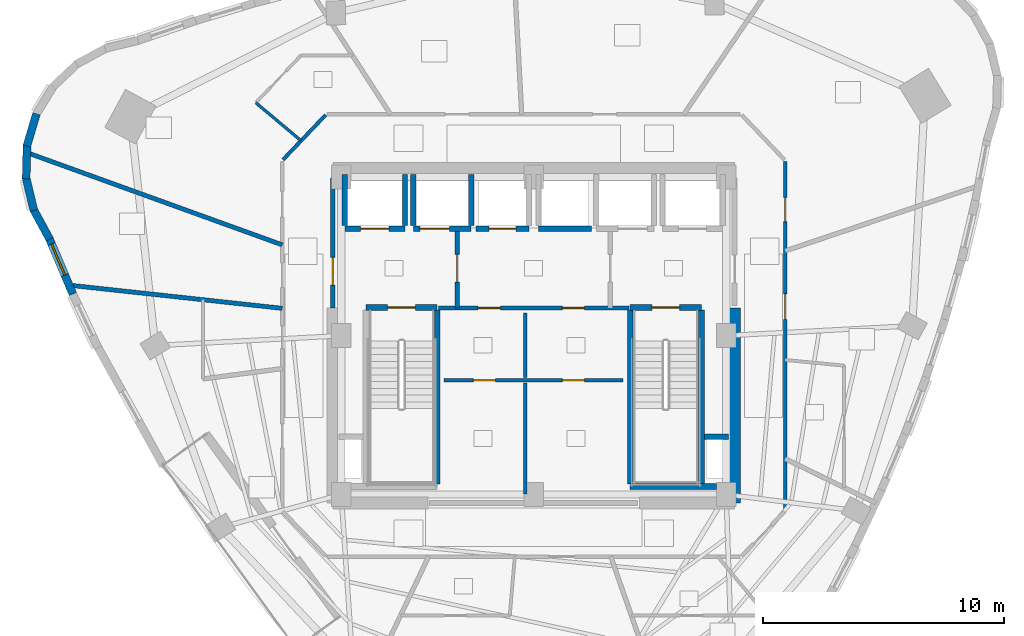
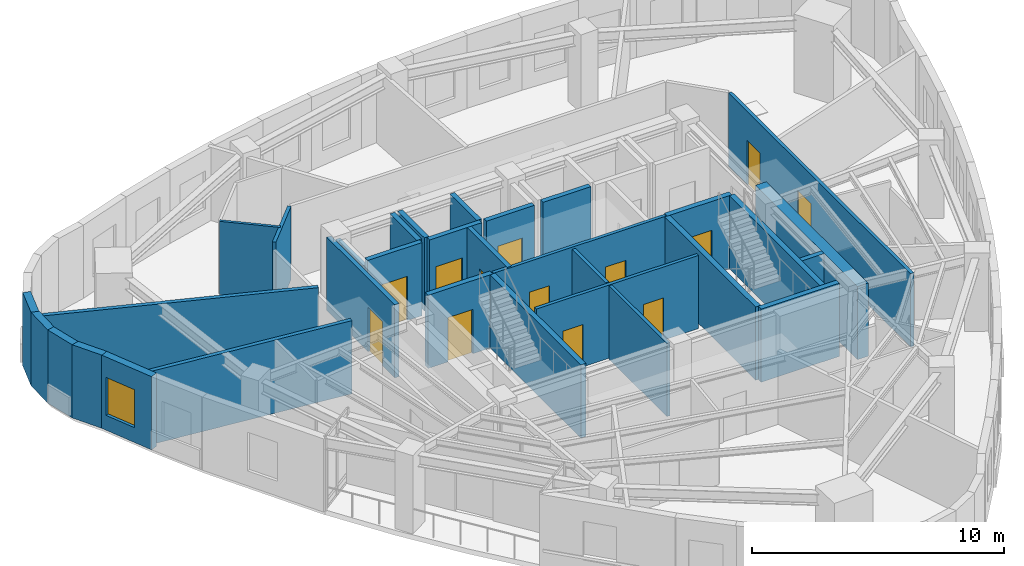
# One storey, part 7 of 12: 32 walls, 13 doors, 1 window, 14 openings.
"""IFC4 building model written with IfcOpenShell, lengths in metres."""

import ifcopenshell
import ifcopenshell.guid

model = None  # the IFC model being written
_history = None  # IfcOwnerHistory: only IFC2X3 demands one
_inside = {}  # id of a spatial element -> (the spatial element, [elements in it])
_under = {}  # id of a project, library or spatial element -> (it, [spatial elements below it])
_declared = {}  # id of a project -> (the project, [libraries it declares])
_typed = {}  # id of a type object -> (the type object, [elements of that type])
_made_of = {}  # id of a material, layer set ... -> (it, [elements and type objects made of it])


def new_model(schema):
    """Start an empty IFC model of exactly this schema.

    Asked for "IFC4X3", IfcOpenShell would pick the latest addendum, in which some entities
    have other attributes; the version numbers below select the first issue.
    IFC2X3 requires an IfcOwnerHistory on every rooted entity: one is made here for all.
    """
    global model, _history
    if schema == "IFC4X3":
        model = ifcopenshell.file(schema_version=(4, 3, 0, 0))
    else:
        model = ifcopenshell.file(schema=schema)
    _inside.clear()
    _under.clear()
    _declared.clear()
    _typed.clear()
    _made_of.clear()
    _history = None
    if model.schema == "IFC2X3":
        org = make("IfcOrganization", Name="unknown")
        user = make(
            "IfcPersonAndOrganization",
            ThePerson=make("IfcPerson", FamilyName="unknown"),
            TheOrganization=org,
        )
        app = make(
            "IfcApplication",
            ApplicationDeveloper=org,
            Version="unknown",
            ApplicationFullName="unknown",
            ApplicationIdentifier="unknown",
        )
        _history = make(
            "IfcOwnerHistory",
            OwningUser=user,
            OwningApplication=app,
            ChangeAction="ADDED",
            CreationDate=0,
        )
    return model


def make(cls, **values):
    """One entity of the class cls with the attributes given. An attribute that is None is left unset."""
    return model.create_entity(
        cls, **{name: value for name, value in values.items() if value is not None}
    )


def rooted(cls, **values):
    """An entity with a GlobalId (a new one), such as an element, a storey or a relation."""
    return make(cls, GlobalId=ifcopenshell.guid.new(), OwnerHistory=_history, **values)


def si_unit(unit_type, name, prefix=None):
    """IfcSIUnit, for example si_unit("LENGTHUNIT", "METRE", prefix="MILLI")."""
    return make("IfcSIUnit", UnitType=unit_type, Prefix=prefix, Name=name)


def assignment(units):
    """IfcUnitAssignment: the units of a project."""
    return None if units is None else make("IfcUnitAssignment", Units=units)


def point(xyz):
    """IfcCartesianPoint."""
    return None if xyz is None else make("IfcCartesianPoint", Coordinates=xyz)


def direction(xyz):
    """IfcDirection."""
    return None if xyz is None else make("IfcDirection", DirectionRatios=xyz)


def frame(location, z_axis=None, x_axis=None):
    """IfcAxis2Placement3D, a coordinate frame: its origin and axes. An axis left out is left unset."""
    return make(
        "IfcAxis2Placement3D",
        Location=point(location),
        Axis=direction(z_axis),
        RefDirection=direction(x_axis),
    )


def frame_2d(location, x_axis=None):
    """IfcAxis2Placement2D, a coordinate frame in the plane: its origin and x axis."""
    return make(
        "IfcAxis2Placement2D", Location=point(location), RefDirection=direction(x_axis)
    )


def origin():
    """The frame at (0, 0, 0) with its axes left unset."""
    return frame((0.0, 0.0, 0.0))


def place(relative_to, where):
    """IfcLocalPlacement: puts the frame where relative to a parent placement (None: the world)."""
    return make(
        "IfcLocalPlacement", PlacementRelTo=relative_to, RelativePlacement=where
    )


def context(
    kind, dimensions, precision=None, world=None, true_north=None, identifier=None
):
    """IfcGeometricRepresentationContext, for example the 3D "Model" context."""
    return make(
        "IfcGeometricRepresentationContext",
        ContextIdentifier=identifier,
        ContextType=kind,
        CoordinateSpaceDimension=dimensions,
        Precision=precision,
        WorldCoordinateSystem=world,
        TrueNorth=true_north,
    )


def subcontext(parent, identifier, kind, view, scale=None):
    """IfcGeometricRepresentationSubContext, for example "Body" below "Model"."""
    return make(
        "IfcGeometricRepresentationSubContext",
        ContextIdentifier=identifier,
        ContextType=kind,
        ParentContext=parent,
        TargetScale=scale,
        TargetView=view,
    )


def project(units=None, contexts=None):
    """IfcProject with its units and contexts."""
    return rooted(
        "IfcProject",
        Name="project",
        RepresentationContexts=contexts,
        UnitsInContext=assignment(units),
    )


def spatial(cls, under=None, at=None, **own):
    """A site, building, storey or space (cls), placed at a placement, below another one or the project."""
    s = rooted(cls, ObjectPlacement=at, **own)
    if under is not None:
        _under.setdefault(under.id(), (under, []))[1].append(s)
    return s


def profile(cls, at=None, kind="AREA", **sizes):
    """A parametric profile (cls). Its sizes go by their IFC names, for example OverallWidth=200.0."""
    return make(cls, ProfileType=kind, Position=at, **sizes)


def rectangle(**sizes):
    """IfcRectangleProfileDef."""
    return profile("IfcRectangleProfileDef", **sizes)


def extrude(swept, where, along, depth):
    """IfcExtrudedAreaSolid: the profile swept, set in the frame where, extruded along a direction by depth."""
    return make(
        "IfcExtrudedAreaSolid",
        SweptArea=swept,
        Position=where,
        ExtrudedDirection=direction(along),
        Depth=depth,
    )


def shape(context_of_items, identifier, shape_type, items):
    """IfcShapeRepresentation: the items that make up one representation, for example the "Body"."""
    return make(
        "IfcShapeRepresentation",
        ContextOfItems=context_of_items,
        RepresentationIdentifier=identifier,
        RepresentationType=shape_type,
        Items=items,
    )


def material(Name=None, Category=None):
    """IfcMaterial."""
    return make("IfcMaterial", Name=Name, Category=Category)


def layer(
    of_material, thickness, ventilated=None, Name=None, Category=None, Priority=None
):
    """IfcMaterialLayer: one layer of a wall or slab, of a material (None: an air gap)."""
    return make(
        "IfcMaterialLayer",
        Material=of_material,
        LayerThickness=thickness,
        IsVentilated=ventilated,
        Name=Name,
        Category=Category,
        Priority=Priority,
    )


def layer_set(layers, Name=None):
    """IfcMaterialLayerSet."""
    return make("IfcMaterialLayerSet", MaterialLayers=layers, LayerSetName=Name)


def made_of(thing, what):
    """Note that an element or type object is made of a material, layer set ...; save() writes the relation."""
    if what is not None:
        _made_of.setdefault(what.id(), (what, []))[1].append(thing)
    return thing


def type_object(cls, material=None, **own):
    """A type object (cls), such as IfcWallType, which elements share."""
    return made_of(rooted(cls, **own), material)


def element(
    cls,
    number,
    at=None,
    inside=None,
    cuts=None,
    type_object=None,
    material=None,
    context=None,
    identifier="Body",
    shape_type=None,
    held_by="IfcProductDefinitionShape",
    body=None,
    shapes=None,
    **own,
):
    """One element of the class cls, such as IfcWall. Its Tag is "e" and its number.

    at: its placement. inside: the storey or other place that contains it. cuts: it is an
    opening in that element (IfcRelVoidsElement). A single representation is given by context,
    identifier, shape_type and body (its items); several are given by shapes. held_by: the class
    of the entity that holds the representations. save() writes the other relations.
    """
    e = rooted(cls, Tag="e%d" % number, ObjectPlacement=at, **own)
    if body is not None:
        shapes = [shape(context, identifier, shape_type, body)]
    if shapes is not None:
        e.Representation = make(held_by, Representations=shapes)
    if inside is not None:
        _inside.setdefault(inside.id(), (inside, []))[1].append(e)
    if cuts is not None:
        rooted(
            "IfcRelVoidsElement", RelatingBuildingElement=cuts, RelatedOpeningElement=e
        )
    if type_object is not None:
        _typed.setdefault(type_object.id(), (type_object, []))[1].append(e)
    return made_of(e, material)


def fill(opening, filler):
    """IfcRelFillsElement: the door or window that sits in an opening."""
    return rooted(
        "IfcRelFillsElement",
        RelatingOpeningElement=opening,
        RelatedBuildingElement=filler,
    )


def aggregate(whole, parts):
    """IfcRelAggregates: a whole, such as a stair, and the parts it consists of."""
    return rooted("IfcRelAggregates", RelatingObject=whole, RelatedObjects=parts)


def save(model, path):
    """Write the relations noted so far, then the file.

    IfcRelAggregates (storeys below a building ...), IfcRelContainedInSpatialStructure (elements
    in a storey), IfcRelDefinesByType, IfcRelAssociatesMaterial and IfcRelDeclares: one each for
    every whole, place, type object, material and project.
    """
    for whole, parts in _under.values():
        aggregate(whole, parts)
    for where, things in _inside.values():
        rooted(
            "IfcRelContainedInSpatialStructure",
            RelatedElements=things,
            RelatingStructure=where,
        )
    for kind, things in _typed.values():
        rooted("IfcRelDefinesByType", RelatedObjects=things, RelatingType=kind)
    for what, things in _made_of.values():
        rooted("IfcRelAssociatesMaterial", RelatedObjects=things, RelatingMaterial=what)
    for by, libraries in _declared.values():
        rooted("IfcRelDeclares", RelatingContext=by, RelatedDefinitions=libraries)
    model.write(path)


model = new_model("IFC4")

# Units and contexts
model_context = context("Model", 3, precision=1e-05, world=origin(), true_north=direction((0.0, 1.0)))
body_context = subcontext(model_context, "Body", "Model", "MODEL_VIEW")
ifc_project = project(units=[si_unit("LENGTHUNIT", "METRE"), si_unit("AREAUNIT", "SQUARE_METRE"), si_unit("VOLUMEUNIT", "CUBIC_METRE"), si_unit("PLANEANGLEUNIT", "RADIAN"), si_unit("MASSUNIT", "GRAM", prefix="KILO")], contexts=[model_context])

# Site, building, storey
site_placement = place(None, origin())
site = spatial("IfcSite", under=ifc_project, at=site_placement, CompositionType="ELEMENT")
building_placement = place(site_placement, origin())
building = spatial("IfcBuilding", under=site, at=building_placement, Name="Ndelora Gate Hotel", CompositionType="ELEMENT")
storey_placement = place(building_placement, frame((0.0, 0.0, 232.14990234375)))
storey = spatial("IfcBuildingStorey", under=building, at=storey_placement, Name="L58", CompositionType="ELEMENT", Elevation=232.14990234375)

# Walls
ifc_material_1 = material(Name="Acoustic Double-Stud Gypsum Assembly", Category="gypsum")
ifc_layer_1 = layer(ifc_material_1, 0.179931640625)
ifc_layer_set_1 = layer_set([ifc_layer_1], Name="Acoustic Double-Stud Gypsum Assembly")
wall_type_1 = type_object("IfcWallType", Name="WL-ACOUST-180", PredefinedType="PARTITIONING", material=ifc_layer_set_1)
wall_1_placement = place(storey_placement, frame((-10.449951171875, 3.77490234375, 0.0), z_axis=(0.0, 0.0, 1.0), x_axis=(-0.9405132002, 0.339757148931, 0.0)))
element("IfcWall", 1, at=wall_1_placement, inside=storey, type_object=wall_type_1, Name="L58 Interior Wall IW-3", PredefinedType="PARTITIONING", context=body_context, shape_type="SweptSolid", body=[
    extrude(rectangle(XDim=11.28662109375, YDim=0.179931640625, at=frame_2d((5.643310546875, 0.0))), origin(), (0.0, 0.0, 1.0), 3.550048828125),
])
wall_2_placement = place(storey_placement, frame((-10.449951171875, 1.136474609375, 0.0), z_axis=(0.0, 0.0, 1.0), x_axis=(-0.994137295644, 0.108125100741, 0.0)))
element("IfcWall", 2, at=wall_2_placement, inside=storey, type_object=wall_type_1, Name="L58 Interior Wall IW-3", PredefinedType="PARTITIONING", context=body_context, shape_type="SweptSolid", body=[
    extrude(rectangle(XDim=8.912109375, YDim=0.179931640625, at=frame_2d((4.4560546875, 0.0))), origin(), (0.0, 0.0, 1.0), 3.550048828125),
])
ifc_material_2 = material(Name="Clay Brick Masonry", Category="masonry")
ifc_layer_2 = layer(ifc_material_2, 0.330078125)
ifc_layer_set_2 = layer_set([ifc_layer_2], Name="Clay Brick Masonry")
wall_type_2 = type_object("IfcWallType", Name="WL-BRICK-330", PredefinedType="SOLIDWALL", material=ifc_layer_set_2)
wall_3_placement = place(storey_placement, frame((-21.064697265625, 7.878173828125, 0.0), z_axis=(0.0, 0.0, 1.0), x_axis=(0.284100140437, 0.958794613149, 0.0)))
element("IfcWall", 3, at=wall_3_placement, inside=storey, type_object=wall_type_2, Name="L58 Tower Brick Pier-and-Spandrel Wall TWR-5", PredefinedType="SOLIDWALL", context=body_context, shape_type="SweptSolid", body=[
    extrude(rectangle(XDim=1.40771484375, YDim=0.330078125, at=frame_2d((0.703857421875, 0.0))), origin(), (0.0, 0.0, 1.0), 3.550048828125),
])
for number, where, z_axis, x_axis, name in (
    (4, (-21.09375, 6.520263671875, 0.0), (0.0, 0.0, 1.0), (0.02619264168, 0.999656913907, 0.0), "L58 Tower Brick Pier-and-Spandrel Wall TWR-6"),
    (5, (-20.770263671875, 5.200927734375, 0.0), (0.0, 0.0, 1.0), (-0.233464793771, 0.972365255482, 0.0), "L58 Tower Brick Pier-and-Spandrel Wall TWR-7"),
):
    element("IfcWall", number, at=place(storey_placement, frame(where, z_axis=z_axis, x_axis=x_axis)), inside=storey, type_object=wall_type_2, Name=name, PredefinedType="SOLIDWALL", context=body_context, shape_type="SweptSolid", body=[
        extrude(rectangle(XDim=1.407470703125, YDim=0.330078125, at=frame_2d((0.70361328125, 0.0))), origin(), (0.0, 0.0, 1.0), 3.550048828125),
    ])
wall_4_placement = place(storey_placement, frame((-20.116455078125, 4.01025390625, 0.0), z_axis=(0.0, 0.0, 1.0), x_axis=(-0.477137792558, 0.878828496871, 0.0)))
element("IfcWall", 6, at=wall_4_placement, inside=storey, type_object=wall_type_2, Name="L58 Tower Brick Pier-and-Spandrel Wall TWR-8", PredefinedType="SOLIDWALL", context=body_context, shape_type="SweptSolid", body=[
    extrude(rectangle(XDim=1.40771484375, YDim=0.330078125, at=frame_2d((0.703857421875, 0.0))), origin(), (0.0, 0.0, 1.0), 3.550048828125),
])

# Wall, opening, window
wall_5_placement = place(storey_placement, frame((-19.151611328125, 1.726806640625, 0.0), z_axis=(0.0, 0.0, 1.0), x_axis=(-0.390140710462, 0.920755247631, 0.0)))
wall_5 = element("IfcWall", 7, at=wall_5_placement, inside=storey, type_object=wall_type_2, Name="L58 Tower Brick Pier-and-Spandrel Wall TWR-9", PredefinedType="SOLIDWALL", context=body_context, shape_type="SweptSolid", body=[
    extrude(rectangle(XDim=2.52880859375, YDim=0.330078125, at=frame_2d((1.264404296875, 0.0))), origin(), (0.0, 0.0, 1.0), 3.550048828125),
])
opening_1_placement = place(wall_5_placement, frame((0.860107421875, 0.0, 0.719970703125)))
opening_1 = element("IfcOpeningElement", 8, at=opening_1_placement, cuts=wall_5, Name="Opening W02", PredefinedType="OPENING", context=body_context, shape_type="SweptSolid", body=[
    extrude(rectangle(XDim=1.39990234375, YDim=1.840087890625, at=frame_2d((0.699951171875, 0.919921875))), frame((0.0, 0.175048828125, 0.0), z_axis=(0.0, -1.0, 0.0), x_axis=(1.0, 0.0, 0.0)), (0.0, 0.0, 1.0), 0.35009765625),
])
ifc_material_3 = material(Name="Insulated Low-E Double Glazing in Bronze Aluminium Frame", Category="aluminium")
window_type = type_object("IfcWindowType", Name="WN-DEEP-1400", PartitioningType="SINGLE_PANEL", PredefinedType="WINDOW", material=ifc_material_3)
window_placement = place(opening_1_placement, origin())
window = element("IfcWindow", 9, at=window_placement, inside=storey, type_object=window_type, Name="L58 Deep-Set Brick-Pier Window W02", OverallHeight=1.840087890625, OverallWidth=1.39990234375, PartitioningType="SINGLE_PANEL", PredefinedType="WINDOW", context=body_context, shape_type="SweptSolid", body=[
    extrude(rectangle(XDim=1.39990234375, YDim=1.840087890625, at=frame_2d((0.699951171875, 0.919921875))), frame((0.0, 0.030029296875, 0.0), z_axis=(0.0, -1.0, 0.0), x_axis=(1.0, 0.0, 0.0)), (0.0, 0.0, 1.0), 0.06005859375),
])
fill(opening_1, window)

# Wall
ifc_material_4 = material(Name="Concrete C50/60", Category="concrete")
ifc_layer_3 = layer(ifc_material_4, 0.5)
ifc_layer_set_3 = layer_set([ifc_layer_3], Name="Concrete C50/60")
wall_type_3 = type_object("IfcWallType", Name="WL-CORE-500", PredefinedType="SHEAR", material=ifc_layer_set_3)
wall_6_placement = place(storey_placement, frame((8.35009765625, -6.949951171875, 0.0), z_axis=(0.0, 0.0, 1.0), x_axis=(0.0, 1.0, 0.0)))
element("IfcWall", 10, at=wall_6_placement, inside=storey, type_object=wall_type_3, Name="L58 Core Shear Wall E", PredefinedType="SHEAR", context=body_context, shape_type="SweptSolid", body=[
    extrude(rectangle(XDim=8.099853515625, YDim=0.5, at=frame_2d((4.0498046875, 0.0))), origin(), (0.0, 0.0, 1.0), 3.550048828125),
])

# Wall, opening, door
ifc_material_5 = material(Name="Concrete C40/50", Category="concrete")
ifc_layer_4 = layer(ifc_material_5, 0.199951171875)
ifc_layer_set_4 = layer_set([ifc_layer_4], Name="Concrete C40/50")
wall_type_4 = type_object("IfcWallType", Name="WL-FIRE-200", PredefinedType="PARTITIONING", material=ifc_layer_set_4)
wall_7_placement = place(storey_placement, frame((-3.179931640625, 1.14990234375, 0.0), z_axis=(0.0, 0.0, 1.0), x_axis=(0.0, 1.0, 0.0)))
wall_7 = element("IfcWall", 11, at=wall_7_placement, inside=storey, type_object=wall_type_4, Name="L58 Interior Wall IW-2", PredefinedType="PARTITIONING", context=body_context, shape_type="SweptSolid", body=[
    extrude(rectangle(XDim=3.300048828125, YDim=0.199951171875, at=frame_2d((1.64990234375, 0.0))), origin(), (0.0, 0.0, 1.0), 3.550048828125),
])
opening_2_placement = place(wall_7_placement, frame((1.080078125, 0.0, 0.0)))
opening_2 = element("IfcOpeningElement", 12, at=opening_2_placement, cuts=wall_7, Name="Opening FD1", PredefinedType="OPENING", context=body_context, shape_type="SweptSolid", body=[
    extrude(rectangle(XDim=1.14990234375, YDim=2.14990234375, at=frame_2d((0.574951171875, 1.074951171875))), frame((0.0, 0.10986328125, 0.0), z_axis=(0.0, -1.0, 0.0), x_axis=(1.0, 0.0, 0.0)), (0.0, 0.0, 1.0), 0.219970703125),
])
ifc_material_6 = material(Name="Fire-Rated Timber-Veneer Steel Core", Category="steel")
door_type_1 = type_object("IfcDoorType", Name="DR-FD60", OperationType="SINGLE_SWING_LEFT", PredefinedType="DOOR", material=ifc_material_6)
door_1_placement = place(opening_2_placement, origin())
door_1 = element("IfcDoor", 13, at=door_1_placement, inside=storey, type_object=door_type_1, Name="L58 Firefighting Lobby West Door", OperationType="SINGLE_SWING_RIGHT", OverallHeight=2.14990234375, OverallWidth=1.14990234375, PredefinedType="DOOR", context=body_context, shape_type="SweptSolid", body=[
    extrude(rectangle(XDim=1.14990234375, YDim=2.14990234375, at=frame_2d((0.574951171875, 1.074951171875))), frame((0.0, 0.02490234375, 0.0), z_axis=(0.0, -1.0, 0.0), x_axis=(1.0, 0.0, 0.0)), (0.0, 0.0, 1.0), 0.050048828125),
])
fill(opening_2, door_1)

wall_8_placement = place(storey_placement, frame((-8.35009765625, 1.14990234375, 0.0), z_axis=(0.0, 0.0, 1.0), x_axis=(0.0, 1.0, 0.0)))
wall_8 = element("IfcWall", 14, at=wall_8_placement, inside=storey, type_object=wall_type_4, Name="L58 Interior Wall IW-2", PredefinedType="PARTITIONING", context=body_context, shape_type="SweptSolid", body=[
    extrude(rectangle(XDim=5.400146484375, YDim=0.199951171875, at=frame_2d((2.7001953125, 0.0))), origin(), (0.0, 0.0, 1.0), 3.550048828125),
])
opening_3_placement = place(wall_8_placement, frame((0.949951171875, 0.0, 0.0)))
opening_3 = element("IfcOpeningElement", 15, at=opening_3_placement, cuts=wall_8, Name="Opening FD1", PredefinedType="OPENING", context=body_context, shape_type="SweptSolid", body=[
    extrude(rectangle(XDim=1.14990234375, YDim=2.14990234375, at=frame_2d((0.574951171875, 1.074951171875))), frame((0.0, 0.10986328125, 0.0), z_axis=(0.0, -1.0, 0.0), x_axis=(1.0, 0.0, 0.0)), (0.0, 0.0, 1.0), 0.219970703125),
])
door_2_placement = place(opening_3_placement, origin())
door_2 = element("IfcDoor", 16, at=door_2_placement, inside=storey, type_object=door_type_1, Name="L58 Firefighting Lobby West Corridor Door", OperationType="SINGLE_SWING_LEFT", OverallHeight=2.14990234375, OverallWidth=1.14990234375, PredefinedType="DOOR", context=body_context, shape_type="SweptSolid", body=[
    extrude(rectangle(XDim=1.14990234375, YDim=2.14990234375, at=frame_2d((0.574951171875, 1.074951171875))), frame((0.0, 0.02490234375, 0.0), z_axis=(0.0, -1.0, 0.0), x_axis=(1.0, 0.0, 0.0)), (0.0, 0.0, 1.0), 0.050048828125),
])
fill(opening_3, door_2)

# Wall, openings, doors
ifc_material_7 = material(Name="Fire-Rated Gypsum Stud Partition", Category="gypsum")
ifc_layer_5 = layer(ifc_material_7, 0.14990234375)
ifc_layer_set_5 = layer_set([ifc_layer_5], Name="Fire-Rated Gypsum Stud Partition")
wall_type_5 = type_object("IfcWallType", Name="WL-PART-150", PredefinedType="PARTITIONING", material=ifc_layer_set_5)
wall_9_placement = place(storey_placement, frame((3.949951171875, 1.14990234375, 0.0), z_axis=(0.0, 0.0, 1.0), x_axis=(-1.0, 0.0, 0.0)))
wall_9 = element("IfcWall", 17, at=wall_9_placement, inside=storey, type_object=wall_type_5, Name="L58 Interior Wall IW-5", PredefinedType="PARTITIONING", context=body_context, shape_type="SweptSolid", body=[
    extrude(rectangle(XDim=7.89990234375, YDim=0.14990234375, at=frame_2d((3.949951171875, 0.0))), origin(), (0.0, 0.0, 1.0), 3.550048828125),
])
opening_4_placement = place(wall_9_placement, frame((5.340087890625, 0.0, 0.0)))
opening_4 = element("IfcOpeningElement", 18, at=opening_4_placement, cuts=wall_9, Name="Opening D04", PredefinedType="OPENING", context=body_context, shape_type="SweptSolid", body=[
    extrude(rectangle(XDim=0.919921875, YDim=2.050048828125, at=frame_2d((0.4599609375, 1.02490234375))), frame((0.0, 0.0849609375, 0.0), z_axis=(0.0, -1.0, 0.0), x_axis=(1.0, 0.0, 0.0)), (0.0, 0.0, 1.0), 0.169921875),
])
opening_5_placement = place(wall_9_placement, frame((1.840087890625, 0.0, 0.0)))
opening_5 = element("IfcOpeningElement", 19, at=opening_5_placement, cuts=wall_9, Name="Opening D04", PredefinedType="OPENING", context=body_context, shape_type="SweptSolid", body=[
    extrude(rectangle(XDim=0.919921875, YDim=2.050048828125, at=frame_2d((0.4599609375, 1.02490234375))), frame((0.0, 0.0849609375, 0.0), z_axis=(0.0, -1.0, 0.0), x_axis=(1.0, 0.0, 0.0)), (0.0, 0.0, 1.0), 0.169921875),
])
ifc_material_8 = material(Name="Painted Steel Core Service Door", Category="steel")
door_type_2 = type_object("IfcDoorType", Name="DR-SER-920", OperationType="SINGLE_SWING_LEFT", PredefinedType="DOOR", material=ifc_material_8)
door_3_placement = place(opening_4_placement, origin())
door_3 = element("IfcDoor", 20, at=door_3_placement, inside=storey, type_object=door_type_2, Name="L58 Core Electrical Closet Door", OperationType="SINGLE_SWING_LEFT", OverallHeight=2.050048828125, OverallWidth=0.919921875, PredefinedType="DOOR", context=body_context, shape_type="SweptSolid", body=[
    extrude(rectangle(XDim=0.919921875, YDim=2.050048828125, at=frame_2d((0.4599609375, 1.02490234375))), frame((0.0, 0.02490234375, 0.0), z_axis=(0.0, -1.0, 0.0), x_axis=(1.0, 0.0, 0.0)), (0.0, 0.0, 1.0), 0.050048828125),
])
fill(opening_4, door_3)
door_4_placement = place(opening_5_placement, origin())
door_4 = element("IfcDoor", 21, at=door_4_placement, inside=storey, type_object=door_type_2, Name="L58 Comms Patching Store Door", OperationType="SINGLE_SWING_RIGHT", OverallHeight=2.050048828125, OverallWidth=0.919921875, PredefinedType="DOOR", context=body_context, shape_type="SweptSolid", body=[
    extrude(rectangle(XDim=0.919921875, YDim=2.050048828125, at=frame_2d((0.4599609375, 1.02490234375))), frame((0.0, 0.02490234375, 0.0), z_axis=(0.0, -1.0, 0.0), x_axis=(1.0, 0.0, 0.0)), (0.0, 0.0, 1.0), 0.050048828125),
])
fill(opening_5, door_4)

wall_10_placement = place(storey_placement, frame((-3.719970703125, -1.85009765625, 0.0), z_axis=(0.0, 0.0, 1.0), x_axis=(1.0, 0.0, 0.0)))
wall_10 = element("IfcWall", 22, at=wall_10_placement, inside=storey, type_object=wall_type_5, Name="L58 Interior Wall IW-5", PredefinedType="PARTITIONING", context=body_context, shape_type="SweptSolid", body=[
    extrude(rectangle(XDim=7.43994140625, YDim=0.14990234375, at=frame_2d((3.719970703125, 0.0))), origin(), (0.0, 0.0, 1.0), 3.550048828125),
])
opening_6_placement = place(wall_10_placement, frame((1.2099609375, 0.0, 0.0)))
opening_6 = element("IfcOpeningElement", 23, at=opening_6_placement, cuts=wall_10, Name="Opening D04", PredefinedType="OPENING", context=body_context, shape_type="SweptSolid", body=[
    extrude(rectangle(XDim=0.919921875, YDim=2.050048828125, at=frame_2d((0.4599609375, 1.02490234375))), frame((0.0, 0.0849609375, 0.0), z_axis=(0.0, -1.0, 0.0), x_axis=(1.0, 0.0, 0.0)), (0.0, 0.0, 1.0), 0.169921875),
])
opening_7_placement = place(wall_10_placement, frame((4.909912109375, 0.0, 0.0)))
opening_7 = element("IfcOpeningElement", 24, at=opening_7_placement, cuts=wall_10, Name="Opening D04", PredefinedType="OPENING", context=body_context, shape_type="SweptSolid", body=[
    extrude(rectangle(XDim=0.919921875, YDim=2.050048828125, at=frame_2d((0.4599609375, 1.02490234375))), frame((0.0, 0.0849609375, 0.0), z_axis=(0.0, -1.0, 0.0), x_axis=(1.0, 0.0, 0.0)), (0.0, 0.0, 1.0), 0.169921875),
])
door_5_placement = place(opening_6_placement, origin())
door_5 = element("IfcDoor", 25, at=door_5_placement, inside=storey, type_object=door_type_2, Name="L58 Core Service Internal Door", OperationType="SINGLE_SWING_LEFT", OverallHeight=2.050048828125, OverallWidth=0.919921875, PredefinedType="DOOR", context=body_context, shape_type="SweptSolid", body=[
    extrude(rectangle(XDim=0.919921875, YDim=2.050048828125, at=frame_2d((0.4599609375, 1.02490234375))), frame((0.0, 0.02490234375, 0.0), z_axis=(0.0, -1.0, 0.0), x_axis=(1.0, 0.0, 0.0)), (0.0, 0.0, 1.0), 0.050048828125),
])
fill(opening_6, door_5)
door_6_placement = place(opening_7_placement, origin())
door_6 = element("IfcDoor", 26, at=door_6_placement, inside=storey, type_object=door_type_2, Name="L58 Core Service Internal Door", OperationType="SINGLE_SWING_LEFT", OverallHeight=2.050048828125, OverallWidth=0.919921875, PredefinedType="DOOR", context=body_context, shape_type="SweptSolid", body=[
    extrude(rectangle(XDim=0.919921875, YDim=2.050048828125, at=frame_2d((0.4599609375, 1.02490234375))), frame((0.0, 0.02490234375, 0.0), z_axis=(0.0, -1.0, 0.0), x_axis=(1.0, 0.0, 0.0)), (0.0, 0.0, 1.0), 0.050048828125),
])
fill(opening_7, door_6)

# Walls
wall_11_placement = place(storey_placement, frame((-0.35009765625, -6.580078125, 0.0), z_axis=(0.0, 0.0, 1.0), x_axis=(0.0, 1.0, 0.0)))
element("IfcWall", 27, at=wall_11_placement, inside=storey, type_object=wall_type_5, Name="L58 Interior Wall IW-5", PredefinedType="PARTITIONING", context=body_context, shape_type="SweptSolid", body=[
    extrude(rectangle(XDim=4.610107421875, YDim=0.14990234375, at=frame_2d((2.30517578125, 0.0))), origin(), (0.0, 0.0, 1.0), 3.550048828125),
])
wall_12_placement = place(storey_placement, frame((-0.35009765625, -1.72998046875, 0.0), z_axis=(0.0, 0.0, 1.0), x_axis=(0.0, 1.0, 0.0)))
element("IfcWall", 28, at=wall_12_placement, inside=storey, type_object=wall_type_5, Name="L58 Interior Wall IW-5", PredefinedType="PARTITIONING", context=body_context, shape_type="SweptSolid", body=[
    extrude(rectangle(XDim=2.679931640625, YDim=0.14990234375, at=frame_2d((1.33984375, 0.0))), origin(), (0.0, 0.0, 1.0), 3.550048828125),
])

# Wall, openings, doors
wall_13_placement = place(storey_placement, frame((10.449951171875, 7.239990234375, 0.0), z_axis=(0.0, 0.0, 1.0), x_axis=(0.0, -1.0, 0.0)))
wall_13 = element("IfcWall", 29, at=wall_13_placement, inside=storey, type_object=wall_type_5, Name="L58 Interior Wall IW-5", PredefinedType="PARTITIONING", context=body_context, shape_type="SweptSolid", body=[
    extrude(rectangle(XDim=14.47998046875, YDim=0.14990234375, at=frame_2d((7.239990234375, 0.0))), origin(), (0.0, 0.0, 1.0), 3.550048828125),
])
opening_8_placement = place(wall_13_placement, frame((5.4990234375, 0.0, 0.0)))
opening_8 = element("IfcOpeningElement", 30, at=opening_8_placement, cuts=wall_13, Name="Opening D07", PredefinedType="OPENING", context=body_context, shape_type="SweptSolid", body=[
    extrude(rectangle(XDim=1.06005859375, YDim=2.14990234375, at=frame_2d((0.530029296875, 1.074951171875))), frame((0.0, 0.0849609375, 0.0), z_axis=(0.0, -1.0, 0.0), x_axis=(1.0, 0.0, 0.0)), (0.0, 0.0, 1.0), 0.169921875),
])
opening_9_placement = place(wall_13_placement, frame((1.49951171875, 0.0, 0.0)))
opening_9 = element("IfcOpeningElement", 31, at=opening_9_placement, cuts=wall_13, Name="Opening D01", PredefinedType="OPENING", context=body_context, shape_type="SweptSolid", body=[
    extrude(rectangle(XDim=1.0, YDim=2.14990234375, at=frame_2d((0.5, 1.074951171875))), frame((0.0, 0.0849609375, 0.0), z_axis=(0.0, -1.0, 0.0), x_axis=(1.0, 0.0, 0.0)), (0.0, 0.0, 1.0), 0.169921875),
])
ifc_material_9 = material(Name="Acoustic Hardwood Guest Entrance Door", Category="wood")
door_type_3 = type_object("IfcDoorType", Name="DR-COR-1000", OperationType="SINGLE_SWING_LEFT", PredefinedType="DOOR", material=ifc_material_9)
door_7_placement = place(opening_9_placement, origin())
door_7 = element("IfcDoor", 32, at=door_7_placement, inside=storey, type_object=door_type_3, Name="L58 Highland Reading Library Entrance Door", OperationType="SINGLE_SWING_RIGHT", OverallHeight=2.14990234375, OverallWidth=1.0, PredefinedType="DOOR", context=body_context, shape_type="SweptSolid", body=[
    extrude(rectangle(XDim=1.0, YDim=2.14990234375, at=frame_2d((0.5, 1.074951171875))), frame((0.0, 0.02490234375, 0.0), z_axis=(0.0, -1.0, 0.0), x_axis=(1.0, 0.0, 0.0)), (0.0, 0.0, 1.0), 0.050048828125),
])
fill(opening_9, door_7)
ifc_material_10 = material(Name="Diplomatic Suite Acoustic Entrance Door", Category="wood")
door_type_4 = type_object("IfcDoorType", Name="DR-SUITE-1060", OperationType="SINGLE_SWING_LEFT", PredefinedType="DOOR", material=ifc_material_10)
door_8_placement = place(opening_8_placement, origin())
door_8 = element("IfcDoor", 33, at=door_8_placement, inside=storey, type_object=door_type_4, Name="L58 Grand Highland Diplomatic Suite 6103 Entrance Door", OperationType="SINGLE_SWING_RIGHT", OverallHeight=2.14990234375, OverallWidth=1.06005859375, PredefinedType="DOOR", context=body_context, shape_type="SweptSolid", body=[
    extrude(rectangle(XDim=1.06005859375, YDim=2.14990234375, at=frame_2d((0.530029296875, 1.074951171875))), frame((0.0, 0.02490234375, 0.0), z_axis=(0.0, -1.0, 0.0), x_axis=(1.0, 0.0, 0.0)), (0.0, 0.0, 1.0), 0.050048828125),
])
fill(opening_8, door_8)

# Walls
wall_14_placement = place(storey_placement, frame((-10.42236328125, 7.30908203125, 0.0), z_axis=(0.0, 0.0, 1.0), x_axis=(0.689960858356, 0.723846678473, 0.0)))
element("IfcWall", 34, at=wall_14_placement, inside=storey, type_object=wall_type_5, Name="L58 Interior Wall IW-5", PredefinedType="PARTITIONING", context=body_context, shape_type="SweptSolid", body=[
    extrude(rectangle(XDim=2.572021484375, YDim=0.14990234375, at=frame_2d((1.2861328125, 0.0))), origin(), (0.0, 0.0, 1.0), 3.550048828125),
])
ifc_layer_6 = layer(ifc_material_5, 0.219970703125)
ifc_layer_set_6 = layer_set([ifc_layer_6], Name="Concrete C40/50")
wall_type_6 = type_object("IfcWallType", Name="WL-SHAFT-220", PredefinedType="PARTITIONING", material=ifc_layer_set_6)
wall_15_placement = place(storey_placement, frame((7.090087890625, -4.199951171875, 0.0), z_axis=(0.0, 0.0, 1.0), x_axis=(1.0, 0.0, 0.0)))
element("IfcWall", 35, at=wall_15_placement, inside=storey, type_object=wall_type_6, Name="L58 Interior Wall IW-1", PredefinedType="PARTITIONING", context=body_context, shape_type="SweptSolid", body=[
    extrude(rectangle(XDim=1.010009765625, YDim=0.219970703125, at=frame_2d((0.5048828125, 0.0))), origin(), (0.0, 0.0, 1.0), 3.550048828125),
])

# Wall, opening, door
wall_16_placement = place(storey_placement, frame((-7.85009765625, 4.449951171875, 0.0), z_axis=(0.0, 0.0, 1.0), x_axis=(1.0, 0.0, 0.0)))
wall_16 = element("IfcWall", 36, at=wall_16_placement, inside=storey, type_object=wall_type_6, Name="L58 Interior Wall IW-1", PredefinedType="PARTITIONING", context=body_context, shape_type="SweptSolid", body=[
    extrude(rectangle(XDim=2.5, YDim=0.219970703125, at=frame_2d((1.25, 0.0))), origin(), (0.0, 0.0, 1.0), 3.550048828125),
])
opening_10_placement = place(wall_16_placement, frame((0.659912109375, 0.0, 0.0)))
opening_10 = element("IfcOpeningElement", 37, at=opening_10_placement, cuts=wall_16, Name="Opening LD5", PredefinedType="OPENING", context=body_context, shape_type="SweptSolid", body=[
    extrude(rectangle(XDim=1.179931640625, YDim=2.14990234375, at=frame_2d((0.58984375, 1.074951171875))), frame((0.0, 0.1201171875, 0.0), z_axis=(0.0, -1.0, 0.0), x_axis=(1.0, 0.0, 0.0)), (0.0, 0.0, 1.0), 0.239990234375),
])
ifc_material_11 = material(Name="Firefighting Lift Stainless Sliding Landing Door", Category="metal")
door_type_5 = type_object("IfcDoorType", Name="DR-LD5", OperationType="DOUBLE_DOOR_SLIDING", PredefinedType="DOOR", material=ifc_material_11)
door_9_placement = place(opening_10_placement, origin())
door_9 = element("IfcDoor", 38, at=door_9_placement, inside=storey, type_object=door_type_5, Name="L58 Lift Landing Sliding Door FFL1", OperationType="DOUBLE_DOOR_SLIDING", OverallHeight=2.14990234375, OverallWidth=1.179931640625, PredefinedType="DOOR", context=body_context, shape_type="SweptSolid", body=[
    extrude(rectangle(XDim=1.179931640625, YDim=2.14990234375, at=frame_2d((0.58984375, 1.074951171875))), frame((0.0, 0.02490234375, 0.0), z_axis=(0.0, -1.0, 0.0), x_axis=(1.0, 0.0, 0.0)), (0.0, 0.0, 1.0), 0.050048828125),
])
fill(opening_10, door_9)

# Walls
wall_17_placement = place(storey_placement, frame((-7.85009765625, 4.570068359375, 0.0), z_axis=(0.0, 0.0, 1.0), x_axis=(0.0, 1.0, 0.0)))
element("IfcWall", 39, at=wall_17_placement, inside=storey, type_object=wall_type_6, Name="L58 Interior Wall IW-1", PredefinedType="PARTITIONING", context=body_context, shape_type="SweptSolid", body=[
    extrude(rectangle(XDim=2.1298828125, YDim=0.219970703125, at=frame_2d((1.06494140625, 0.0))), origin(), (0.0, 0.0, 1.0), 3.18017578125),
])
wall_18_placement = place(storey_placement, frame((-5.35009765625, 4.570068359375, 0.0), z_axis=(0.0, 0.0, 1.0), x_axis=(0.0, 1.0, 0.0)))
element("IfcWall", 40, at=wall_18_placement, inside=storey, type_object=wall_type_6, Name="L58 Interior Wall IW-1", PredefinedType="PARTITIONING", context=body_context, shape_type="SweptSolid", body=[
    extrude(rectangle(XDim=2.1298828125, YDim=0.219970703125, at=frame_2d((1.06494140625, 0.0))), origin(), (0.0, 0.0, 1.0), 3.550048828125),
])

# Wall, opening, door
wall_19_placement = place(storey_placement, frame((-5.0, 4.449951171875, 0.0), z_axis=(0.0, 0.0, 1.0), x_axis=(1.0, 0.0, 0.0)))
wall_19 = element("IfcWall", 41, at=wall_19_placement, inside=storey, type_object=wall_type_6, Name="L58 Interior Wall IW-1", PredefinedType="PARTITIONING", context=body_context, shape_type="SweptSolid", body=[
    extrude(rectangle(XDim=2.39990234375, YDim=0.219970703125, at=frame_2d((1.199951171875, 0.0))), origin(), (0.0, 0.0, 1.0), 3.550048828125),
])
opening_11_placement = place(wall_19_placement, frame((0.280029296875, 0.0, 0.0)))
opening_11 = element("IfcOpeningElement", 42, at=opening_11_placement, cuts=wall_19, Name="Opening LD6", PredefinedType="OPENING", context=body_context, shape_type="SweptSolid", body=[
    extrude(rectangle(XDim=1.219970703125, YDim=2.14990234375, at=frame_2d((0.60986328125, 1.074951171875))), frame((0.0, 0.1201171875, 0.0), z_axis=(0.0, -1.0, 0.0), x_axis=(1.0, 0.0, 0.0)), (0.0, 0.0, 1.0), 0.239990234375),
])
ifc_material_12 = material(Name="Heavy-Duty Service Lift Sliding Landing Door", Category="wood")
door_type_6 = type_object("IfcDoorType", Name="DR-LD6", OperationType="DOUBLE_DOOR_SLIDING", PredefinedType="DOOR", material=ifc_material_12)
door_10_placement = place(opening_11_placement, origin())
door_10 = element("IfcDoor", 43, at=door_10_placement, inside=storey, type_object=door_type_6, Name="L58 Lift Landing Sliding Door SVL1", OperationType="DOUBLE_DOOR_SLIDING", OverallHeight=2.14990234375, OverallWidth=1.219970703125, PredefinedType="DOOR", context=body_context, shape_type="SweptSolid", body=[
    extrude(rectangle(XDim=1.219970703125, YDim=2.14990234375, at=frame_2d((0.60986328125, 1.074951171875))), frame((0.0, 0.02490234375, 0.0), z_axis=(0.0, -1.0, 0.0), x_axis=(1.0, 0.0, 0.0)), (0.0, 0.0, 1.0), 0.050048828125),
])
fill(opening_11, door_10)

# Walls
for number, where, z_axis, x_axis, name in (
    (44, (-5.0, 4.570068359375, 0.0), (0.0, 0.0, 1.0), (0.0, 1.0, 0.0), "L58 Interior Wall IW-1"),
    (45, (-2.60009765625, 4.570068359375, 0.0), (0.0, 0.0, 1.0), (0.0, 1.0, 0.0), "L58 Interior Wall IW-1"),
):
    element("IfcWall", number, at=place(storey_placement, frame(where, z_axis=z_axis, x_axis=x_axis)), inside=storey, type_object=wall_type_6, Name=name, PredefinedType="PARTITIONING", context=body_context, shape_type="SweptSolid", body=[
        extrude(rectangle(XDim=2.1298828125, YDim=0.219970703125, at=frame_2d((1.06494140625, 0.0))), origin(), (0.0, 0.0, 1.0), 3.550048828125),
    ])

# Wall, opening, door
wall_20_placement = place(storey_placement, frame((-2.39990234375, 4.449951171875, 0.0), z_axis=(0.0, 0.0, 1.0), x_axis=(1.0, 0.0, 0.0)))
wall_20 = element("IfcWall", 46, at=wall_20_placement, inside=storey, type_object=wall_type_6, Name="L58 Interior Wall IW-1", PredefinedType="PARTITIONING", context=body_context, shape_type="SweptSolid", body=[
    extrude(rectangle(XDim=2.199951171875, YDim=0.219970703125, at=frame_2d((1.10009765625, 0.0))), origin(), (0.0, 0.0, 1.0), 3.550048828125),
])
opening_12_placement = place(wall_20_placement, frame((0.5400390625, 0.0, 0.0)))
opening_12 = element("IfcOpeningElement", 47, at=opening_12_placement, cuts=wall_20, Name="Opening LD3", PredefinedType="OPENING", context=body_context, shape_type="SweptSolid", body=[
    extrude(rectangle(XDim=1.1201171875, YDim=2.14990234375, at=frame_2d((0.56005859375, 1.074951171875))), frame((0.0, 0.1201171875, 0.0), z_axis=(0.0, -1.0, 0.0), x_axis=(1.0, 0.0, 0.0)), (0.0, 0.0, 1.0), 0.239990234375),
])
ifc_material_13 = material(Name="Brushed Bronze Stainless Lift Landing Door", Category="metal")
door_type_7 = type_object("IfcDoorType", Name="DR-LD3", OperationType="DOUBLE_DOOR_SLIDING", PredefinedType="DOOR", material=ifc_material_13)
door_11_placement = place(opening_12_placement, origin())
door_11 = element("IfcDoor", 48, at=door_11_placement, inside=storey, type_object=door_type_7, Name="L58 Lift Landing Sliding Door P3A", OperationType="DOUBLE_DOOR_SLIDING", OverallHeight=2.14990234375, OverallWidth=1.1201171875, PredefinedType="DOOR", context=body_context, shape_type="SweptSolid", body=[
    extrude(rectangle(XDim=1.1201171875, YDim=2.14990234375, at=frame_2d((0.56005859375, 1.074951171875))), frame((0.0, 0.02490234375, 0.0), z_axis=(0.0, -1.0, 0.0), x_axis=(1.0, 0.0, 0.0)), (0.0, 0.0, 1.0), 0.050048828125),
])
fill(opening_12, door_11)

# Walls
wall_21_placement = place(storey_placement, frame((0.199951171875, 4.449951171875, 0.0), z_axis=(0.0, 0.0, 1.0), x_axis=(1.0, 0.0, 0.0)))
element("IfcWall", 49, at=wall_21_placement, inside=storey, type_object=wall_type_6, Name="L58 Interior Wall IW-1", PredefinedType="PARTITIONING", context=body_context, shape_type="SweptSolid", body=[
    extrude(rectangle(XDim=2.199951171875, YDim=0.219970703125, at=frame_2d((1.10009765625, 0.0))), origin(), (0.0, 0.0, 1.0), 3.550048828125),
])
ifc_layer_7 = layer(ifc_material_4, 0.239990234375)
ifc_layer_set_7 = layer_set([ifc_layer_7], Name="Concrete C50/60")
wall_type_7 = type_object("IfcWallType", Name="WL-STAIR-240", PredefinedType="SHEAR", material=ifc_layer_set_7)
wall_22_placement = place(storey_placement, frame((-4.010009765625, -6.159912109375, 0.0), z_axis=(0.0, 0.0, 1.0), x_axis=(0.0, 1.0, 0.0)))
element("IfcWall", 50, at=wall_22_placement, inside=storey, type_object=wall_type_7, Name="L58 Stair Core Shear Wall SW-ST", PredefinedType="SHEAR", context=body_context, shape_type="SweptSolid", body=[
    extrude(rectangle(XDim=7.219970703125, YDim=0.239990234375, at=frame_2d((3.60986328125, 0.0))), origin(), (0.0, 0.0, 1.0), 3.550048828125),
])

# Wall, opening, door
wall_23_placement = place(storey_placement, frame((-6.969970703125, 1.169921875, 0.0), z_axis=(0.0, 0.0, 1.0), x_axis=(1.0, 0.0, 0.0)))
wall_23 = element("IfcWall", 51, at=wall_23_placement, inside=storey, type_object=wall_type_7, Name="L58 Stair Core Shear Wall SW-ST", PredefinedType="SHEAR", context=body_context, shape_type="SweptSolid", body=[
    extrude(rectangle(XDim=2.9599609375, YDim=0.239990234375, at=frame_2d((1.47998046875, 0.0))), origin(), (0.0, 0.0, 1.0), 3.550048828125),
])
opening_13_placement = place(wall_23_placement, frame((0.89990234375, 0.0, 0.0)))
opening_13 = element("IfcOpeningElement", 52, at=opening_13_placement, cuts=wall_23, Name="Opening FD1", PredefinedType="OPENING", context=body_context, shape_type="SweptSolid", body=[
    extrude(rectangle(XDim=1.14990234375, YDim=2.14990234375, at=frame_2d((0.574951171875, 1.074951171875))), frame((0.0, 0.1298828125, 0.0), z_axis=(0.0, -1.0, 0.0), x_axis=(1.0, 0.0, 0.0)), (0.0, 0.0, 1.0), 0.260009765625),
])
door_12_placement = place(opening_13_placement, origin())
door_12 = element("IfcDoor", 53, at=door_12_placement, inside=storey, type_object=door_type_1, Name="L58 Exit Stair ST4 Door", OperationType="SINGLE_SWING_LEFT", OverallHeight=2.14990234375, OverallWidth=1.14990234375, PredefinedType="DOOR", context=body_context, shape_type="SweptSolid", body=[
    extrude(rectangle(XDim=1.14990234375, YDim=2.14990234375, at=frame_2d((0.574951171875, 1.074951171875))), frame((0.0, 0.02490234375, 0.0), z_axis=(0.0, -1.0, 0.0), x_axis=(1.0, 0.0, 0.0)), (0.0, 0.0, 1.0), 0.050048828125),
])
fill(opening_13, door_12)

# Walls
for number, where, z_axis, x_axis, name in (
    (54, (4.010009765625, -6.159912109375, 0.0), (0.0, 0.0, 1.0), (0.0, 1.0, 0.0), "L58 Stair Core Shear Wall SW-ST"),
    (55, (6.969970703125, -6.159912109375, 0.0), (0.0, 0.0, 1.0), (0.0, 1.0, 0.0), "L58 Stair Core Shear Wall SW-ST"),
):
    element("IfcWall", number, at=place(storey_placement, frame(where, z_axis=z_axis, x_axis=x_axis)), inside=storey, type_object=wall_type_7, Name=name, PredefinedType="SHEAR", context=body_context, shape_type="SweptSolid", body=[
        extrude(rectangle(XDim=7.219970703125, YDim=0.239990234375, at=frame_2d((3.60986328125, 0.0))), origin(), (0.0, 0.0, 1.0), 3.550048828125),
    ])
wall_24_placement = place(storey_placement, frame((4.010009765625, -6.27001953125, 0.0), z_axis=(0.0, 0.0, 1.0), x_axis=(1.0, 0.0, 0.0)))
element("IfcWall", 56, at=wall_24_placement, inside=storey, type_object=wall_type_7, Name="L58 Stair Core Shear Wall SW-ST", PredefinedType="SHEAR", context=body_context, shape_type="SweptSolid", body=[
    extrude(rectangle(XDim=3.590087890625, YDim=0.239990234375, at=frame_2d((1.794921875, 0.0))), origin(), (0.0, 0.0, 1.0), 3.550048828125),
])

# Wall, opening, door
wall_25_placement = place(storey_placement, frame((4.010009765625, 1.169921875, 0.0), z_axis=(0.0, 0.0, 1.0), x_axis=(1.0, 0.0, 0.0)))
wall_25 = element("IfcWall", 57, at=wall_25_placement, inside=storey, type_object=wall_type_7, Name="L58 Stair Core Shear Wall SW-ST", PredefinedType="SHEAR", context=body_context, shape_type="SweptSolid", body=[
    extrude(rectangle(XDim=2.9599609375, YDim=0.239990234375, at=frame_2d((1.47998046875, 0.0))), origin(), (0.0, 0.0, 1.0), 3.550048828125),
])
opening_14_placement = place(wall_25_placement, frame((0.89990234375, 0.0, 0.0)))
opening_14 = element("IfcOpeningElement", 58, at=opening_14_placement, cuts=wall_25, Name="Opening FD1", PredefinedType="OPENING", context=body_context, shape_type="SweptSolid", body=[
    extrude(rectangle(XDim=1.14990234375, YDim=2.14990234375, at=frame_2d((0.574951171875, 1.074951171875))), frame((0.0, 0.1298828125, 0.0), z_axis=(0.0, -1.0, 0.0), x_axis=(1.0, 0.0, 0.0)), (0.0, 0.0, 1.0), 0.260009765625),
])
door_13_placement = place(opening_14_placement, origin())
door_13 = element("IfcDoor", 59, at=door_13_placement, inside=storey, type_object=door_type_1, Name="L58 Exit Stair ST5 Door", OperationType="SINGLE_SWING_RIGHT", OverallHeight=2.14990234375, OverallWidth=1.14990234375, PredefinedType="DOOR", context=body_context, shape_type="SweptSolid", body=[
    extrude(rectangle(XDim=1.14990234375, YDim=2.14990234375, at=frame_2d((0.574951171875, 1.074951171875))), frame((0.0, 0.02490234375, 0.0), z_axis=(0.0, -1.0, 0.0), x_axis=(1.0, 0.0, 0.0)), (0.0, 0.0, 1.0), 0.050048828125),
])
fill(opening_14, door_13)

# Wall
ifc_material_14 = material(Name="Moisture-Resistant Bathroom Tile Partition", Category="gypsum")
ifc_layer_8 = layer(ifc_material_14, 0.1201171875)
ifc_layer_set_8 = layer_set([ifc_layer_8], Name="Moisture-Resistant Bathroom Tile Partition")
wall_type_8 = type_object("IfcWallType", Name="WL-WET-120", PredefinedType="PARTITIONING", material=ifc_layer_set_8)
wall_26_placement = place(storey_placement, frame((-9.666015625, 8.102783203125, 0.0), z_axis=(0.0, 0.0, 1.0), x_axis=(-0.766392114791, 0.64237304301, 0.0)))
element("IfcWall", 60, at=wall_26_placement, inside=storey, type_object=wall_type_8, Name="L58 Interior Wall IW-7", PredefinedType="PARTITIONING", context=body_context, shape_type="SweptSolid", body=[
    extrude(rectangle(XDim=2.454833984375, YDim=0.1201171875, at=frame_2d((1.2275390625, 0.0))), origin(), (0.0, 0.0, 1.0), 3.550048828125),
])

save(model, "model.ifc")
